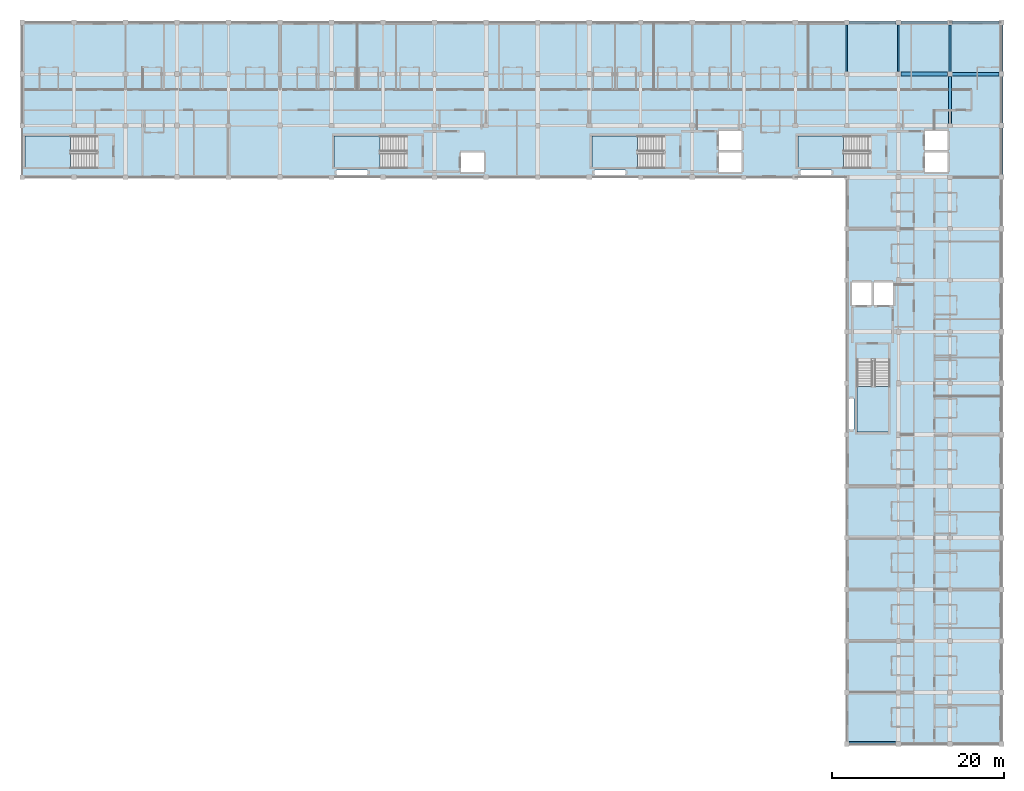
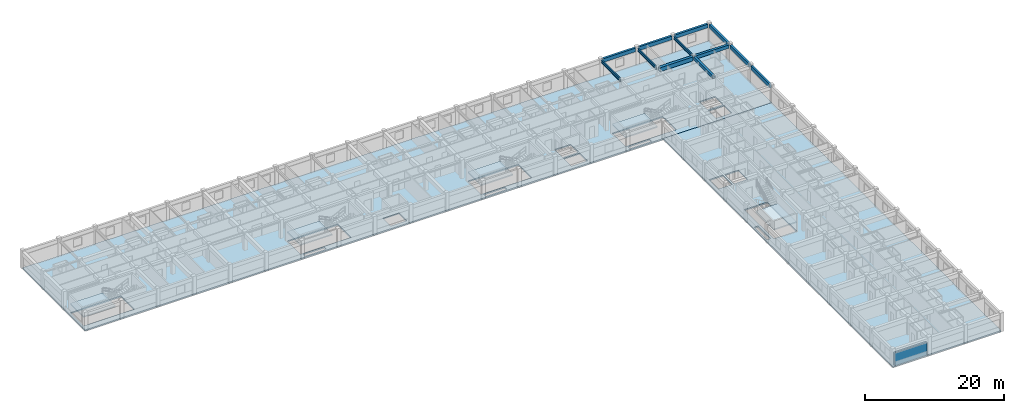
# One storey, part 3 of 21: 12 beams, 7 slabs, 1 wall, 5 elements without a shape of their own.
"""IFC4 building model written with IfcOpenShell, lengths in metres."""

from ifc_helpers import new_model, si_unit, direction, frame, frame_2d, origin, origin_2d, place, context, subcontext, project, spatial, polyline, rectangle, i_section, outline, extrude, material, layer, layer_set, material_profile, profile_set, type_object, element, aggregate, save


model = new_model("IFC4")

# Units and contexts
model_context = context("Model", 3, precision=1e-05, world=origin(), true_north=direction((0.0, 1.0)))
body_context = subcontext(model_context, "Body", "Model", "MODEL_VIEW")
ifc_project = project(units=[si_unit("LENGTHUNIT", "METRE"), si_unit("AREAUNIT", "SQUARE_METRE"), si_unit("VOLUMEUNIT", "CUBIC_METRE"), si_unit("PLANEANGLEUNIT", "RADIAN"), si_unit("MASSUNIT", "GRAM", prefix="KILO"), si_unit("THERMODYNAMICTEMPERATUREUNIT", "KELVIN"), si_unit("POWERUNIT", "WATT")], contexts=[model_context])

# Site, building, storey
site_placement = place(None, origin())
site = spatial("IfcSite", under=ifc_project, at=site_placement, CompositionType="ELEMENT")
building_placement = place(site_placement, origin())
building = spatial("IfcBuilding", under=site, at=building_placement, Name="Phaisarnlok Congress Hotel", CompositionType="ELEMENT")
storey_placement = place(building_placement, frame((0.0, 0.0, 31.5)))
storey = spatial("IfcBuildingStorey", under=building, at=storey_placement, Name="L07", CompositionType="ELEMENT", Elevation=31.5)

# Beams
ifc_material_1 = material(Name="Concrete C40/50", Category="concrete")
ifc_material_profile_1 = material_profile(ifc_material_1, rectangle(XDim=0.35009765625, YDim=0.550048828125, at=origin_2d()), Name="RC 350x550")
ifc_profile_set_1 = profile_set([ifc_material_profile_1], Name="Concrete C40/50")
beam_type_1 = type_object("IfcBeamType", Name="BM-RC-350x550", PredefinedType="BEAM", material=ifc_profile_set_1)
beam_1_placement = place(storey_placement, frame((174.0, 114.27001953125, 2.794921875), z_axis=(0.0, 1.0, 0.0), x_axis=(-1.0, 0.0, 0.0)))
element("IfcBeam", 1, at=beam_1_placement, inside=storey, type_object=beam_type_1, Name="Beam B-01", PredefinedType="BEAM", context=body_context, shape_type="SweptSolid", body=[
    extrude(rectangle(XDim=0.35009765625, YDim=0.550048828125, at=origin_2d()), origin(), (0.0, 0.0, 1.0), 5.4599609375),
])
ifc_material_profile_2 = material_profile(ifc_material_1, rectangle(XDim=0.39990234375, YDim=0.60009765625, at=origin_2d()), Name="RC 400x600")
ifc_profile_set_2 = profile_set([ifc_material_profile_2], Name="Concrete C40/50")
beam_type_2 = type_object("IfcBeamType", Name="BM-RC-400x600", PredefinedType="BEAM", material=ifc_profile_set_2)
beam_2_placement = place(storey_placement, frame((174.27001953125, 120.0, 2.77001953125), z_axis=(1.0, 0.0, 0.0), x_axis=(0.0, 1.0, 0.0)))
element("IfcBeam", 2, at=beam_2_placement, inside=storey, type_object=beam_type_2, Name="Beam B-02", PredefinedType="BEAM", context=body_context, shape_type="SweptSolid", body=[
    extrude(rectangle(XDim=0.39990234375, YDim=0.60009765625, at=origin_2d()), origin(), (0.0, 0.0, 1.0), 5.43505859375),
])
ifc_material_profile_3 = material_profile(ifc_material_1, rectangle(XDim=0.449951171875, YDim=0.699951171875, at=origin_2d()), Name="RC 450x700")
ifc_profile_set_3 = profile_set([ifc_material_profile_3], Name="Concrete C40/50")
beam_type_3 = type_object("IfcBeamType", Name="BM-RC-450x700", PredefinedType="BEAM", material=ifc_profile_set_3)
beam_3_placement = place(storey_placement, frame((168.294921875, 120.0, 2.719970703125), z_axis=(1.0, 0.0, 0.0), x_axis=(0.0, 1.0, 0.0)))
element("IfcBeam", 3, at=beam_3_placement, inside=storey, type_object=beam_type_3, Name="Beam B-03", PredefinedType="BEAM", context=body_context, shape_type="SweptSolid", body=[
    extrude(rectangle(XDim=0.449951171875, YDim=0.699951171875, at=origin_2d()), origin(), (0.0, 0.0, 1.0), 5.43505859375),
])
ifc_material_2 = material(Name="Steel S355", Category="steel")
ifc_material_profile_4 = material_profile(ifc_material_2, i_section(OverallWidth=0.199951171875, OverallDepth=0.5, WebThickness=0.01025390625, FlangeThickness=0.01611328125, FilletRadius=0.02099609375, at=origin_2d()), Name="IPE 500")
ifc_profile_set_4 = profile_set([ifc_material_profile_4], Name="Steel S355")
beam_type_4 = type_object("IfcBeamType", Name="BM-STL-IPE500", PredefinedType="BEAM", material=ifc_profile_set_4)
beam_4_placement = place(storey_placement, frame((162.0, 120.27001953125, 2.820068359375), z_axis=(0.0, 1.0, 0.0), x_axis=(-1.0, 0.0, 0.0)))
element("IfcBeam", 4, at=beam_4_placement, inside=storey, type_object=beam_type_4, Name="Beam SB-02", PredefinedType="BEAM", context=body_context, shape_type="SweptSolid", body=[
    extrude(i_section(OverallWidth=0.199951171875, OverallDepth=0.5, WebThickness=0.01025390625, FlangeThickness=0.01611328125, FilletRadius=0.02099609375, at=origin_2d()), origin(), (0.0, 0.0, 1.0), 5.4599609375),
])
beam_5_placement = place(storey_placement, frame((168.0, 120.294921875, 2.820068359375), z_axis=(0.0, 1.0, 0.0), x_axis=(-1.0, 0.0, 0.0)))
element("IfcBeam", 5, at=beam_5_placement, inside=storey, type_object=beam_type_4, Name="Beam SB-02", PredefinedType="BEAM", context=body_context, shape_type="SweptSolid", body=[
    extrude(i_section(OverallWidth=0.199951171875, OverallDepth=0.5, WebThickness=0.01025390625, FlangeThickness=0.01611328125, FilletRadius=0.02099609375, at=origin_2d()), origin(), (0.0, 0.0, 1.0), 5.41015625),
])
beam_6_placement = place(storey_placement, frame((174.0, 120.27001953125, 2.820068359375), z_axis=(0.0, 1.0, 0.0), x_axis=(-1.0, 0.0, 0.0)))
element("IfcBeam", 6, at=beam_6_placement, inside=storey, type_object=beam_type_4, Name="Beam SB-02", PredefinedType="BEAM", context=body_context, shape_type="SweptSolid", body=[
    extrude(i_section(OverallWidth=0.199951171875, OverallDepth=0.5, WebThickness=0.01025390625, FlangeThickness=0.01611328125, FilletRadius=0.02099609375, at=origin_2d()), origin(), (0.0, 0.0, 1.0), 5.4599609375),
])
ifc_material_profile_5 = material_profile(ifc_material_1, rectangle(XDim=0.35009765625, YDim=0.64990234375, at=origin_2d()), Name="RC 350x650")
ifc_profile_set_5 = profile_set([ifc_material_profile_5], Name="Concrete C40/50")
beam_type_5 = type_object("IfcBeamType", Name="SP-RC-350x650", PredefinedType="SPANDREL", material=ifc_profile_set_5)
for number, where, z_axis, x_axis, name in (
    (7, (162.27001953125, 126.0, 2.7451171875), (1.0, 0.0, 0.0), (0.0, 1.0, 0.0), "Beam SP-01"),
    (8, (168.294921875, 126.0, 2.7451171875), (1.0, 0.0, 0.0), (0.0, 1.0, 0.0), "Beam SP-01"),
    (9, (174.27001953125, 126.0, 2.7451171875), (1.0, 0.0, 0.0), (0.0, 1.0, 0.0), "Beam SP-01"),
):
    element("IfcBeam", number, at=place(storey_placement, frame(where, z_axis=z_axis, x_axis=x_axis)), inside=storey, type_object=beam_type_5, Name=name, PredefinedType="SPANDREL", context=body_context, shape_type="SweptSolid", body=[
        extrude(rectangle(XDim=0.35009765625, YDim=0.64990234375, at=origin_2d()), origin(), (0.0, 0.0, 1.0), 5.43505859375),
    ])
for number, where, z_axis, x_axis, name in (
    (10, (180.0, 108.294921875, 2.7451171875), (0.0, 1.0, 0.0), (-1.0, 0.0, 0.0), "Beam SP-01"),
    (11, (180.0, 114.294921875, 2.7451171875), (0.0, 1.0, 0.0), (-1.0, 0.0, 0.0), "Beam SP-01"),
    (12, (180.0, 120.294921875, 2.7451171875), (0.0, 1.0, 0.0), (-1.0, 0.0, 0.0), "Beam SP-01"),
):
    element("IfcBeam", number, at=place(storey_placement, frame(where, z_axis=z_axis, x_axis=x_axis)), inside=storey, type_object=beam_type_5, Name=name, PredefinedType="SPANDREL", context=body_context, shape_type="SweptSolid", body=[
        extrude(rectangle(XDim=0.35009765625, YDim=0.64990234375, at=origin_2d()), origin(), (0.0, 0.0, 1.0), 5.41015625),
    ])

# Slabs
ifc_layer_1 = layer(ifc_material_1, 0.219970703125, Name="Concrete C40/50")
ifc_layer_set_1 = layer_set([ifc_layer_1], Name="Concrete C40/50")
slab_type_1 = type_object("IfcSlabType", Name="SLB-INT-220", PredefinedType="FLOOR", material=ifc_layer_set_1)
slab_1_placement = place(storey_placement, frame((0.0, 0.0, -0.219970703125)))
element("IfcSlab", 13, at=slab_1_placement, inside=storey, type_object=slab_type_1, Name="Floor slab SL-INT-220 (L07 v5_n)", PredefinedType="FLOOR", context=body_context, shape_type="SweptSolid", body=[
    extrude(outline(polyline([(180.0, 108.0), (180.0, 126.0), (66.0, 126.0), (66.0, 108.0), (180.0, 108.0)]), holes=[polyline([(164.719970703125, 112.800048828125), (156.300048828125, 112.800048828125), (156.300048828125, 109.0), (164.719970703125, 109.0), (164.719970703125, 112.800048828125)]), polyline([(140.719970703125, 112.800048828125), (132.300048828125, 112.800048828125), (132.300048828125, 109.0), (140.719970703125, 109.0), (140.719970703125, 112.800048828125)]), polyline([(110.719970703125, 112.800048828125), (102.300048828125, 112.800048828125), (102.300048828125, 109.0), (110.719970703125, 109.0), (110.719970703125, 112.800048828125)]), polyline([(74.719970703125, 112.800048828125), (66.300048828125, 112.800048828125), (66.300048828125, 109.0), (74.719970703125, 109.0), (74.719970703125, 112.800048828125)]), polyline([(173.75, 108.60009765625), (173.75, 110.85009765625), (171.10009765625, 110.85009765625), (171.10009765625, 108.60009765625), (173.75, 108.60009765625)]), polyline([(173.75, 111.14990234375), (173.75, 113.39990234375), (171.10009765625, 113.39990234375), (171.10009765625, 111.14990234375), (173.75, 111.14990234375)]), polyline([(160.199951171875, 108.25), (160.199951171875, 108.85009765625), (156.60009765625, 108.85009765625), (156.60009765625, 108.25), (160.199951171875, 108.25)]), polyline([(149.75, 108.60009765625), (149.75, 110.85009765625), (147.10009765625, 110.85009765625), (147.10009765625, 108.60009765625), (149.75, 108.60009765625)]), polyline([(149.75, 111.14990234375), (149.75, 113.39990234375), (147.10009765625, 113.39990234375), (147.10009765625, 111.14990234375), (149.75, 111.14990234375)]), polyline([(136.199951171875, 108.25), (136.199951171875, 108.85009765625), (132.60009765625, 108.85009765625), (132.60009765625, 108.25), (136.199951171875, 108.25)]), polyline([(119.75, 108.60009765625), (119.75, 110.85009765625), (117.10009765625, 110.85009765625), (117.10009765625, 108.60009765625), (119.75, 108.60009765625)]), polyline([(106.199951171875, 108.25), (106.199951171875, 108.85009765625), (102.60009765625, 108.85009765625), (102.60009765625, 108.25), (106.199951171875, 108.25)])]), origin(), (0.0, 0.0, 1.0), 0.219970703125),
])
slab_2_placement = place(storey_placement, frame((0.0, 0.0, -0.219970703125)))
element("IfcSlab", 14, at=slab_2_placement, inside=storey, type_object=slab_type_1, Name="Floor slab SL-INT-220 (L07 v5_e)", PredefinedType="FLOOR", context=body_context, shape_type="SweptSolid", body=[
    extrude(outline(polyline([(180.0, 42.0), (180.0, 108.0), (162.0, 108.0), (162.0, 42.0), (180.0, 42.0)]), holes=[polyline([(163.199951171875, 86.719970703125), (163.199951171875, 78.300048828125), (167.0, 78.300048828125), (167.0, 86.719970703125), (163.199951171875, 86.719970703125)]), polyline([(164.85009765625, 93.10009765625), (164.85009765625, 95.75), (162.60009765625, 95.75), (162.60009765625, 93.10009765625), (164.85009765625, 93.10009765625)]), polyline([(167.39990234375, 93.10009765625), (167.39990234375, 95.75), (165.14990234375, 95.75), (165.14990234375, 93.10009765625), (167.39990234375, 93.10009765625)]), polyline([(162.85009765625, 78.60009765625), (162.85009765625, 82.199951171875), (162.25, 82.199951171875), (162.25, 78.60009765625), (162.85009765625, 78.60009765625)])]), origin(), (0.0, 0.0, 1.0), 0.219970703125),
])

# Stair, slab
stair_type = type_object("IfcStairType", Name="STR-DOG-05", PredefinedType="HALF_TURN_STAIR", material=ifc_material_1)
stair_1_placement = place(storey_placement, origin())
stair_1 = element("IfcStair", 15, at=stair_1_placement, inside=storey, type_object=stair_type, Name="L07 ST-05", PredefinedType="HALF_TURN_STAIR")
ifc_layer_2 = layer(ifc_material_1, 0.199951171875, Name="Concrete C40/50")
ifc_layer_set_2 = layer_set([ifc_layer_2], Name="Concrete C40/50")
slab_type_2 = type_object("IfcSlabType", Name="SLB-LND-200", PredefinedType="LANDING", material=ifc_layer_set_2)
slab_3_placement = place(storey_placement, frame((0.0, 0.0, 1.449951171875)))
slab_3 = element("IfcSlab", 16, at=slab_3_placement, type_object=slab_type_2, Name="ST-05 landing 1", PredefinedType="LANDING", context=body_context, shape_type="SweptSolid", body=[
    extrude(outline(polyline([(161.6201171875, 112.800048828125), (156.300048828125, 112.800048828125), (156.300048828125, 109.0), (161.6201171875, 109.0), (161.6201171875, 112.800048828125)])), origin(), (0.0, 0.0, 1.0), 0.199951171875),
])
aggregate(stair_1, [slab_3])

stair_2_placement = place(storey_placement, origin())
stair_2 = element("IfcStair", 17, at=stair_2_placement, inside=storey, type_object=stair_type, Name="L07 ST-06", PredefinedType="HALF_TURN_STAIR")
slab_4_placement = place(storey_placement, frame((0.0, 0.0, 1.449951171875)))
slab_4 = element("IfcSlab", 18, at=slab_4_placement, type_object=slab_type_2, Name="ST-06 landing 1", PredefinedType="LANDING", context=body_context, shape_type="SweptSolid", body=[
    extrude(outline(polyline([(137.6201171875, 112.800048828125), (132.300048828125, 112.800048828125), (132.300048828125, 109.0), (137.6201171875, 109.0), (137.6201171875, 112.800048828125)])), origin(), (0.0, 0.0, 1.0), 0.199951171875),
])
aggregate(stair_2, [slab_4])

stair_3_placement = place(storey_placement, origin())
stair_3 = element("IfcStair", 19, at=stair_3_placement, inside=storey, type_object=stair_type, Name="L07 ST-07", PredefinedType="HALF_TURN_STAIR")
slab_5_placement = place(storey_placement, frame((0.0, 0.0, 1.449951171875)))
slab_5 = element("IfcSlab", 20, at=slab_5_placement, type_object=slab_type_2, Name="ST-07 landing 1", PredefinedType="LANDING", context=body_context, shape_type="SweptSolid", body=[
    extrude(outline(polyline([(107.6201171875, 112.800048828125), (102.300048828125, 112.800048828125), (102.300048828125, 109.0), (107.6201171875, 109.0), (107.6201171875, 112.800048828125)])), origin(), (0.0, 0.0, 1.0), 0.199951171875),
])
aggregate(stair_3, [slab_5])

stair_4_placement = place(storey_placement, origin())
stair_4 = element("IfcStair", 21, at=stair_4_placement, inside=storey, type_object=stair_type, Name="L07 ST-09", PredefinedType="HALF_TURN_STAIR")
slab_6_placement = place(storey_placement, frame((0.0, 0.0, 1.449951171875)))
slab_6 = element("IfcSlab", 22, at=slab_6_placement, type_object=slab_type_2, Name="ST-09 landing 1", PredefinedType="LANDING", context=body_context, shape_type="SweptSolid", body=[
    extrude(outline(polyline([(163.199951171875, 83.6201171875), (163.199951171875, 78.300048828125), (167.0, 78.300048828125), (167.0, 83.6201171875), (163.199951171875, 83.6201171875)])), origin(), (0.0, 0.0, 1.0), 0.199951171875),
])
aggregate(stair_4, [slab_6])

stair_5_placement = place(storey_placement, origin())
stair_5 = element("IfcStair", 23, at=stair_5_placement, inside=storey, type_object=stair_type, Name="L07 ST-10", PredefinedType="HALF_TURN_STAIR")
slab_7_placement = place(storey_placement, frame((0.0, 0.0, 1.449951171875)))
slab_7 = element("IfcSlab", 24, at=slab_7_placement, type_object=slab_type_2, Name="ST-10 landing 1", PredefinedType="LANDING", context=body_context, shape_type="SweptSolid", body=[
    extrude(outline(polyline([(71.6201171875, 112.800048828125), (66.300048828125, 112.800048828125), (66.300048828125, 109.0), (71.6201171875, 109.0), (71.6201171875, 112.800048828125)])), origin(), (0.0, 0.0, 1.0), 0.199951171875),
])
aggregate(stair_5, [slab_7])

# Wall
ifc_layer_3 = layer(ifc_material_1, 0.27001953125, Name="Concrete C40/50")
ifc_layer_set_3 = layer_set([ifc_layer_3], Name="Concrete C40/50")
wall_type = type_object("IfcWallType", Name="WL-EXT-270", PredefinedType="SOLIDWALL", material=ifc_layer_set_3)
wall_placement = place(storey_placement, frame((162.280029296875, 42.135009765625, 0.0), z_axis=(0.0, 0.0, 1.0), x_axis=(1.0, 0.0, 0.0)))
element("IfcWall", 25, at=wall_placement, inside=storey, type_object=wall_type, Name="Exterior wall EW-04 (L07)", PredefinedType="SOLIDWALL", context=body_context, shape_type="SweptSolid", body=[
    extrude(rectangle(XDim=5.4150390625, YDim=0.27001953125, at=frame_2d((2.70751953125, 0.0))), origin(), (0.0, 0.0, 1.0), 2.27001953125),
])

save(model, "model.ifc")
